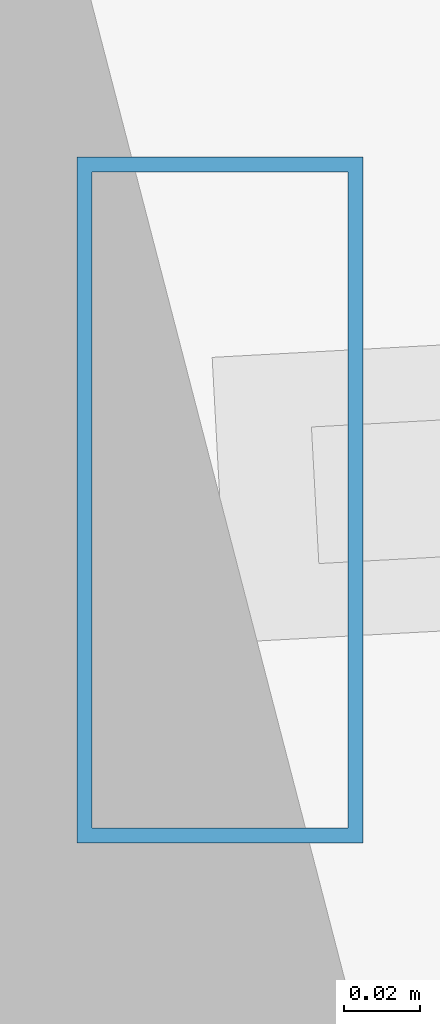
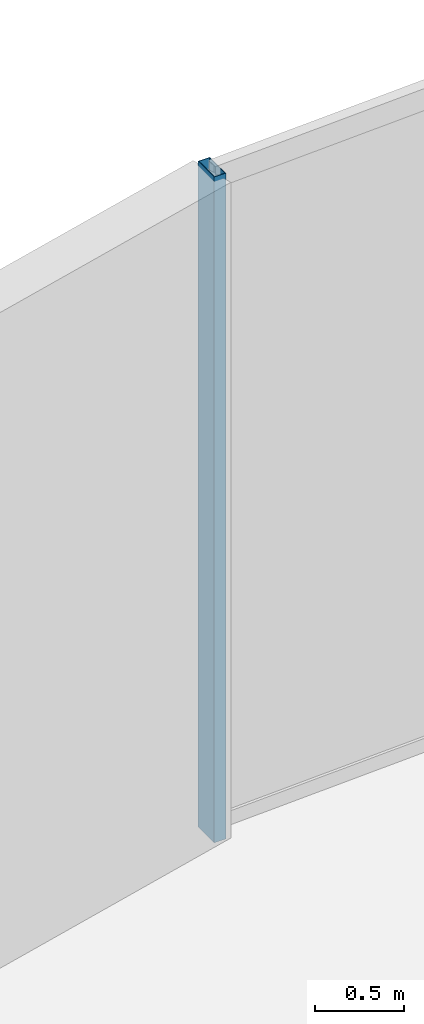
# One storey, part 16 of 30: 1 member, 1 element without a shape of its own.
"""IFC4 building model written with IfcOpenShell, lengths in metres."""

from ifc_helpers import new_model, si_unit, direction, frame, origin, origin_2d, place, context, subcontext, project, spatial, hollow_rectangle, extrude, material, material_profile, profile_set, type_object, element, aggregate, save


model = new_model("IFC4")

# Units and contexts
model_context = context("Model", 3, precision=1e-05, world=origin(), true_north=direction((0.0, 1.0)))
body_context = subcontext(model_context, "Body", "Model", "MODEL_VIEW")
ifc_project = project(units=[si_unit("LENGTHUNIT", "METRE"), si_unit("AREAUNIT", "SQUARE_METRE"), si_unit("VOLUMEUNIT", "CUBIC_METRE"), si_unit("PLANEANGLEUNIT", "RADIAN"), si_unit("MASSUNIT", "GRAM", prefix="KILO")], contexts=[model_context])

# Site, building, storey
site_placement = place(None, origin())
site = spatial("IfcSite", under=ifc_project, at=site_placement, CompositionType="ELEMENT")
building_placement = place(site_placement, origin())
building = spatial("IfcBuilding", under=site, at=building_placement, Name="Vorneva Point Tower", CompositionType="ELEMENT")
storey_placement = place(building_placement, frame((0.0, 0.0, 9.60009765625)))
storey = spatial("IfcBuildingStorey", under=building, at=storey_placement, Name="L02", CompositionType="ELEMENT", Elevation=9.60009765625)

# Curtain wall, member
ifc_material = material(Name="Pale anodised aluminium", Category="aluminium")
curtain_wall_type = type_object("IfcCurtainWallType", Name="CW-POD-SYS", PredefinedType="NOTDEFINED", material=ifc_material)
curtain_wall_placement = place(storey_placement, origin())
curtain_wall = element("IfcCurtainWall", 1, at=curtain_wall_placement, inside=storey, type_object=curtain_wall_type, Name="L02 Unitised Curtain Wall CW-L02-R02", PredefinedType="NOTDEFINED")
ifc_material_profile = material_profile(ifc_material, hollow_rectangle(XDim=0.074951171875, YDim=0.179931640625, WallThickness=0.00390625, at=origin_2d()), Name="AL-MUL 180x75x4")
ifc_profile_set = profile_set([ifc_material_profile], Name="Pale anodised aluminium")
member_type = type_object("IfcMemberType", Name="CW-MUL-180", PredefinedType="MULLION", material=ifc_profile_set)
member_placement = place(storey_placement, frame((19.24609375, 48.0810546875, -0.0400390625), z_axis=(0.0, 0.0, 1.0), x_axis=(1.0, 0.0, 0.0)))
member = element("IfcMember", 2, at=member_placement, type_object=member_type, Name="CW-L02-R02 Mullion 02", PredefinedType="MULLION", context=body_context, shape_type="SweptSolid", body=[
    extrude(hollow_rectangle(XDim=0.074951171875, YDim=0.179931640625, WallThickness=0.00390625, at=origin_2d()), origin(), (0.0, 0.0, 1.0), 4.550048828125),
])
aggregate(curtain_wall, [member])

save(model, "model.ifc")
